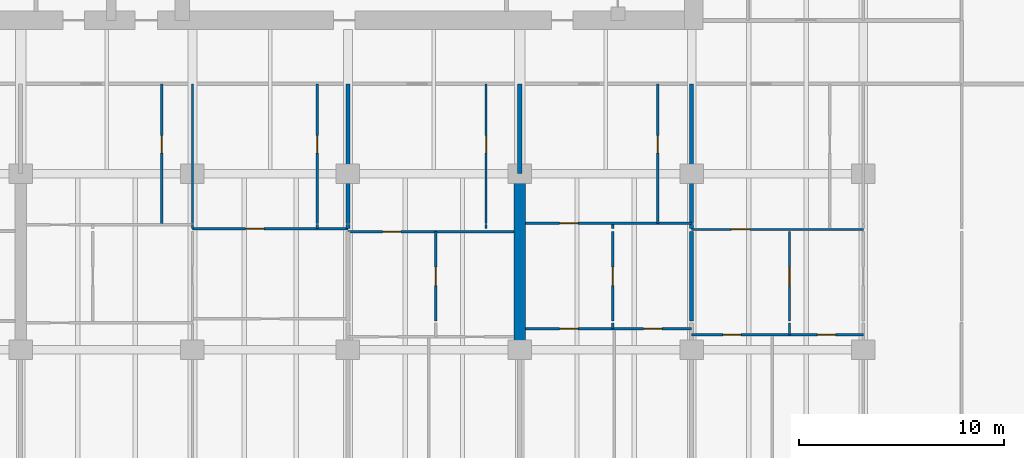
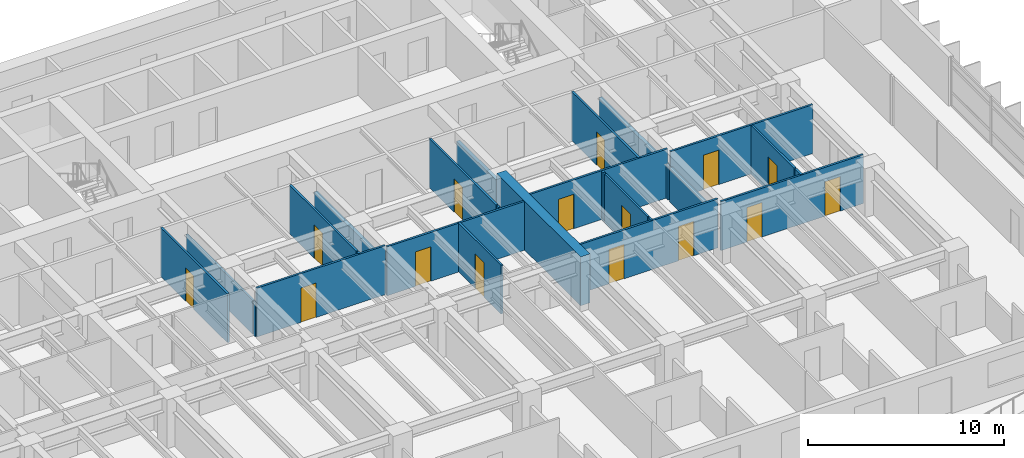
# One storey, part 9 of 17: 27 walls, 15 doors, 15 openings.
"""IFC4 building model written with IfcOpenShell, lengths in metres."""

from ifc_helpers import new_model, si_unit, direction, frame, frame_2d, origin, place, context, subcontext, project, spatial, rectangle, extrude, material, layer, layer_set, type_object, element, fill, save


model = new_model("IFC4")

# Units and contexts
model_context = context("Model", 3, precision=1e-05, world=origin(), true_north=direction((0.0, 1.0)))
body_context = subcontext(model_context, "Body", "Model", "MODEL_VIEW")
ifc_project = project(units=[si_unit("LENGTHUNIT", "METRE"), si_unit("AREAUNIT", "SQUARE_METRE"), si_unit("VOLUMEUNIT", "CUBIC_METRE"), si_unit("PLANEANGLEUNIT", "RADIAN"), si_unit("MASSUNIT", "GRAM", prefix="KILO")], contexts=[model_context])

# Site, building, storey
site_placement = place(None, origin())
site = spatial("IfcSite", under=ifc_project, at=site_placement, CompositionType="ELEMENT")
building_placement = place(site_placement, origin())
building = spatial("IfcBuilding", under=site, at=building_placement, Name="Caelmar Bay Residences", CompositionType="ELEMENT")
storey_placement = place(building_placement, frame((0.0, 0.0, 63.0)))
storey = spatial("IfcBuildingStorey", under=building, at=storey_placement, Name="L16", CompositionType="ELEMENT", Elevation=63.0)

# Wall
ifc_material_1 = material(Name="Concrete f'c 70 MPa (10,000 psi)", Category="concrete")
ifc_layer_1 = layer(ifc_material_1, 0.550048828125)
ifc_layer_set_1 = layer_set([ifc_layer_1], Name="Concrete f'c 70 MPa (10,000 psi)")
wall_type_1 = type_object("IfcWallType", Name="SW-XSLB-550", PredefinedType="SHEAR", material=ifc_layer_set_1)
wall_1_placement = place(storey_placement, frame((51.10009765625, 20.800048828125, 0.0), z_axis=(0.0, 0.0, 1.0), x_axis=(0.0, 1.0, 0.0)))
element("IfcWall", 1, at=wall_1_placement, inside=storey, type_object=wall_type_1, Name="L16 Transverse Cross-Slab Shear Wall E8", PredefinedType="SHEAR", context=body_context, shape_type="SweptSolid", body=[
    extrude(rectangle(XDim=8.599853515625, YDim=0.550048828125, at=frame_2d((4.2998046875, 0.0))), origin(), (0.0, 0.0, 1.0), 3.050048828125),
])

# Wall, opening, door
ifc_material_2 = material(Name="Acoustic metal-stud gypsum partition 120 mm")
ifc_layer_2 = layer(ifc_material_2, 0.1201171875)
ifc_layer_set_2 = layer_set([ifc_layer_2], Name="Acoustic metal-stud gypsum partition 120 mm")
wall_type_2 = type_object("IfcWallType", Name="W-PRT-120", PredefinedType="PARTITIONING", material=ifc_layer_set_2)
wall_2_placement = place(storey_placement, frame((33.60009765625, 26.97998046875, 0.0), z_axis=(0.0, 0.0, 1.0), x_axis=(0.0, 1.0, 0.0)))
wall_2 = element("IfcWall", 2, at=wall_2_placement, inside=storey, type_object=wall_type_2, Name="L16 Partition Wall V037", PredefinedType="PARTITIONING", context=body_context, shape_type="SweptSolid", body=[
    extrude(rectangle(XDim=6.820068359375, YDim=0.1201171875, at=frame_2d((3.41015625, 0.0))), origin(), (0.0, 0.0, 1.0), 3.050048828125),
])
opening_1_placement = place(wall_2_placement, frame((3.43505859375, 0.0, 0.0)))
opening_1 = element("IfcOpeningElement", 3, at=opening_1_placement, cuts=wall_2, Name="Opening D-L16-135", PredefinedType="OPENING", context=body_context, shape_type="SweptSolid", body=[
    extrude(rectangle(XDim=0.85009765625, YDim=2.10009765625, at=frame_2d((0.425048828125, 1.050048828125))), frame((0.0, 0.070068359375, 0.0), z_axis=(0.0, -1.0, 0.0), x_axis=(1.0, 0.0, 0.0)), (0.0, 0.0, 1.0), 0.14013671875),
])
ifc_material_3 = material(Name="Solid walnut timber interior door leaf and frame", Category="wood")
ifc_layer_3 = layer(ifc_material_3, 0.050048828125)
ifc_layer_set_3 = layer_set([ifc_layer_3], Name="Solid walnut timber interior door leaf and frame")
door_type_1 = type_object("IfcDoorType", Name="D-BATH-850", OperationType="NOTDEFINED", PredefinedType="DOOR", material=ifc_layer_set_3)
door_1_placement = place(opening_1_placement, origin())
door_1 = element("IfcDoor", 4, at=door_1_placement, inside=storey, type_object=door_type_1, Name="L16 Residence 02 Guest Bathroom Door", OperationType="SINGLE_SWING_RIGHT", OverallHeight=2.10009765625, OverallWidth=0.85009765625, PredefinedType="DOOR", context=body_context, shape_type="SweptSolid", body=[
    extrude(rectangle(XDim=0.85009765625, YDim=2.10009765625, at=frame_2d((0.425048828125, 1.050048828125))), frame((0.0, 0.02490234375, 0.0), z_axis=(0.0, -1.0, 0.0), x_axis=(1.0, 0.0, 0.0)), (0.0, 0.0, 1.0), 0.050048828125),
])
fill(opening_1, door_1)

# Walls
wall_3_placement = place(storey_placement, frame((35.10009765625, 26.719970703125, 0.0), z_axis=(0.0, 0.0, 1.0), x_axis=(0.0, 1.0, 0.0)))
element("IfcWall", 5, at=wall_3_placement, inside=storey, type_object=wall_type_2, Name="L16 Partition Wall V041", PredefinedType="PARTITIONING", context=body_context, shape_type="SweptSolid", body=[
    extrude(rectangle(XDim=0.199951171875, YDim=0.1201171875, at=frame_2d((0.10009765625, 0.0))), origin(), (0.0, 0.0, 1.0), 2.110107421875),
])
wall_4_placement = place(storey_placement, frame((35.10009765625, 26.97998046875, 0.0), z_axis=(0.0, 0.0, 1.0), x_axis=(0.0, 1.0, 0.0)))
element("IfcWall", 6, at=wall_4_placement, inside=storey, type_object=wall_type_2, Name="L16 Partition Wall V042", PredefinedType="PARTITIONING", context=body_context, shape_type="SweptSolid", body=[
    extrude(rectangle(XDim=6.820068359375, YDim=0.1201171875, at=frame_2d((3.41015625, 0.0))), origin(), (0.0, 0.0, 1.0), 2.110107421875),
])
wall_5_placement = place(storey_placement, frame((41.199951171875, 26.719970703125, 0.0), z_axis=(0.0, 0.0, 1.0), x_axis=(0.0, 1.0, 0.0)))
element("IfcWall", 7, at=wall_5_placement, inside=storey, type_object=wall_type_2, Name="L16 Partition Wall V046", PredefinedType="PARTITIONING", context=body_context, shape_type="SweptSolid", body=[
    extrude(rectangle(XDim=0.199951171875, YDim=0.1201171875, at=frame_2d((0.10009765625, 0.0))), origin(), (0.0, 0.0, 1.0), 3.050048828125),
])

# Wall, opening, door
wall_6_placement = place(storey_placement, frame((41.199951171875, 26.97998046875, 0.0), z_axis=(0.0, 0.0, 1.0), x_axis=(0.0, 1.0, 0.0)))
wall_6 = element("IfcWall", 8, at=wall_6_placement, inside=storey, type_object=wall_type_2, Name="L16 Partition Wall V047", PredefinedType="PARTITIONING", context=body_context, shape_type="SweptSolid", body=[
    extrude(rectangle(XDim=6.820068359375, YDim=0.1201171875, at=frame_2d((3.41015625, 0.0))), origin(), (0.0, 0.0, 1.0), 3.050048828125),
])
opening_2_placement = place(wall_6_placement, frame((3.43505859375, 0.0, 0.0)))
opening_2 = element("IfcOpeningElement", 9, at=opening_2_placement, cuts=wall_6, Name="Opening D-L16-141", PredefinedType="OPENING", context=body_context, shape_type="SweptSolid", body=[
    extrude(rectangle(XDim=0.85009765625, YDim=2.10009765625, at=frame_2d((0.425048828125, 1.050048828125))), frame((0.0, 0.070068359375, 0.0), z_axis=(0.0, -1.0, 0.0), x_axis=(1.0, 0.0, 0.0)), (0.0, 0.0, 1.0), 0.14013671875),
])
door_2_placement = place(opening_2_placement, origin())
door_2 = element("IfcDoor", 10, at=door_2_placement, inside=storey, type_object=door_type_1, Name="L16 Residence 02 En-Suite Bathroom 1 Door", OperationType="SINGLE_SWING_RIGHT", OverallHeight=2.10009765625, OverallWidth=0.85009765625, PredefinedType="DOOR", context=body_context, shape_type="SweptSolid", body=[
    extrude(rectangle(XDim=0.85009765625, YDim=2.10009765625, at=frame_2d((0.425048828125, 1.050048828125))), frame((0.0, 0.02490234375, 0.0), z_axis=(0.0, -1.0, 0.0), x_axis=(1.0, 0.0, 0.0)), (0.0, 0.0, 1.0), 0.050048828125),
])
fill(opening_2, door_2)

wall_7_placement = place(storey_placement, frame((46.986083984375, 22.199951171875, 0.0), z_axis=(0.0, 0.0, 1.0), x_axis=(0.0, 1.0, 0.0)))
wall_7 = element("IfcWall", 11, at=wall_7_placement, inside=storey, type_object=wall_type_2, Name="L16 Partition Wall V059", PredefinedType="PARTITIONING", context=body_context, shape_type="SweptSolid", body=[
    extrude(rectangle(XDim=4.380126953125, YDim=0.1201171875, at=frame_2d((2.18994140625, 0.0))), origin(), (0.0, 0.0, 1.0), 3.050048828125),
])
opening_3_placement = place(wall_7_placement, frame((1.739990234375, 0.0, 0.0)))
opening_3 = element("IfcOpeningElement", 12, at=opening_3_placement, cuts=wall_7, Name="Opening D-L16-147", PredefinedType="OPENING", context=body_context, shape_type="SweptSolid", body=[
    extrude(rectangle(XDim=0.89990234375, YDim=2.14990234375, at=frame_2d((0.449951171875, 1.074951171875))), frame((0.0, 0.070068359375, 0.0), z_axis=(0.0, -1.0, 0.0), x_axis=(1.0, 0.0, 0.0)), (0.0, 0.0, 1.0), 0.14013671875),
])
ifc_layer_4 = layer(ifc_material_3, 0.050048828125)
ifc_layer_set_4 = layer_set([ifc_layer_4], Name="Solid walnut timber interior door leaf and frame")
door_type_2 = type_object("IfcDoorType", Name="D-ROOM-900", OperationType="NOTDEFINED", PredefinedType="DOOR", material=ifc_layer_set_4)
door_3_placement = place(opening_3_placement, origin())
door_3 = element("IfcDoor", 13, at=door_3_placement, inside=storey, type_object=door_type_2, Name="L16 Residence 03 Private Meeting Room Door", OperationType="SINGLE_SWING_RIGHT", OverallHeight=2.14990234375, OverallWidth=0.89990234375, PredefinedType="DOOR", context=body_context, shape_type="SweptSolid", body=[
    extrude(rectangle(XDim=0.89990234375, YDim=2.14990234375, at=frame_2d((0.449951171875, 1.074951171875))), frame((0.0, 0.02490234375, 0.0), z_axis=(0.0, -1.0, 0.0), x_axis=(1.0, 0.0, 0.0)), (0.0, 0.0, 1.0), 0.050048828125),
])
fill(opening_3, door_3)

# Wall
wall_8_placement = place(storey_placement, frame((49.449951171875, 26.719970703125, 0.0), z_axis=(0.0, 0.0, 1.0), x_axis=(0.0, 1.0, 0.0)))
element("IfcWall", 14, at=wall_8_placement, inside=storey, type_object=wall_type_2, Name="L16 Partition Wall V061", PredefinedType="PARTITIONING", context=body_context, shape_type="SweptSolid", body=[
    extrude(rectangle(XDim=0.199951171875, YDim=0.1201171875, at=frame_2d((0.10009765625, 0.0))), origin(), (0.0, 0.0, 1.0), 3.050048828125),
])

# Wall, opening, door
wall_9_placement = place(storey_placement, frame((49.449951171875, 26.97998046875, 0.0), z_axis=(0.0, 0.0, 1.0), x_axis=(0.0, 1.0, 0.0)))
wall_9 = element("IfcWall", 15, at=wall_9_placement, inside=storey, type_object=wall_type_2, Name="L16 Partition Wall V062", PredefinedType="PARTITIONING", context=body_context, shape_type="SweptSolid", body=[
    extrude(rectangle(XDim=6.820068359375, YDim=0.1201171875, at=frame_2d((3.41015625, 0.0))), origin(), (0.0, 0.0, 1.0), 3.050048828125),
])
opening_4_placement = place(wall_9_placement, frame((3.43505859375, 0.0, 0.0)))
opening_4 = element("IfcOpeningElement", 16, at=opening_4_placement, cuts=wall_9, Name="Opening D-L16-145", PredefinedType="OPENING", context=body_context, shape_type="SweptSolid", body=[
    extrude(rectangle(XDim=0.85009765625, YDim=2.10009765625, at=frame_2d((0.425048828125, 1.050048828125))), frame((0.0, 0.070068359375, 0.0), z_axis=(0.0, -1.0, 0.0), x_axis=(1.0, 0.0, 0.0)), (0.0, 0.0, 1.0), 0.14013671875),
])
door_4_placement = place(opening_4_placement, origin())
door_4 = element("IfcDoor", 17, at=door_4_placement, inside=storey, type_object=door_type_1, Name="L16 Residence 03 Bathroom Door", OperationType="SINGLE_SWING_RIGHT", OverallHeight=2.10009765625, OverallWidth=0.85009765625, PredefinedType="DOOR", context=body_context, shape_type="SweptSolid", body=[
    extrude(rectangle(XDim=0.85009765625, YDim=2.10009765625, at=frame_2d((0.425048828125, 1.050048828125))), frame((0.0, 0.02490234375, 0.0), z_axis=(0.0, -1.0, 0.0), x_axis=(1.0, 0.0, 0.0)), (0.0, 0.0, 1.0), 0.050048828125),
])
fill(opening_4, door_4)

# Wall
wall_10_placement = place(storey_placement, frame((55.635986328125, 21.830078125, 0.0), z_axis=(0.0, 0.0, 1.0), x_axis=(0.0, 1.0, 0.0)))
element("IfcWall", 18, at=wall_10_placement, inside=storey, type_object=wall_type_2, Name="L16 Partition Wall V070", PredefinedType="PARTITIONING", context=body_context, shape_type="SweptSolid", body=[
    extrude(rectangle(XDim=0.2900390625, YDim=0.1201171875, at=frame_2d((0.14501953125, 0.0))), origin(), (0.0, 0.0, 1.0), 3.050048828125),
])

# Wall, opening, door
wall_11_placement = place(storey_placement, frame((55.635986328125, 22.199951171875, 0.0), z_axis=(0.0, 0.0, 1.0), x_axis=(0.0, 1.0, 0.0)))
wall_11 = element("IfcWall", 19, at=wall_11_placement, inside=storey, type_object=wall_type_2, Name="L16 Partition Wall V071", PredefinedType="PARTITIONING", context=body_context, shape_type="SweptSolid", body=[
    extrude(rectangle(XDim=4.380126953125, YDim=0.1201171875, at=frame_2d((2.18994140625, 0.0))), origin(), (0.0, 0.0, 1.0), 3.050048828125),
])
opening_5_placement = place(wall_11_placement, frame((1.739990234375, 0.0, 0.0)))
opening_5 = element("IfcOpeningElement", 20, at=opening_5_placement, cuts=wall_11, Name="Opening D-L16-154", PredefinedType="OPENING", context=body_context, shape_type="SweptSolid", body=[
    extrude(rectangle(XDim=0.89990234375, YDim=2.14990234375, at=frame_2d((0.449951171875, 1.074951171875))), frame((0.0, 0.070068359375, 0.0), z_axis=(0.0, -1.0, 0.0), x_axis=(1.0, 0.0, 0.0)), (0.0, 0.0, 1.0), 0.14013671875),
])
door_5_placement = place(opening_5_placement, origin())
door_5 = element("IfcDoor", 21, at=door_5_placement, inside=storey, type_object=door_type_2, Name="L16 Residence 04 Private Meeting Room Door", OperationType="SINGLE_SWING_LEFT", OverallHeight=2.14990234375, OverallWidth=0.89990234375, PredefinedType="DOOR", context=body_context, shape_type="SweptSolid", body=[
    extrude(rectangle(XDim=0.89990234375, YDim=2.14990234375, at=frame_2d((0.449951171875, 1.074951171875))), frame((0.0, 0.02490234375, 0.0), z_axis=(0.0, -1.0, 0.0), x_axis=(1.0, 0.0, 0.0)), (0.0, 0.0, 1.0), 0.050048828125),
])
fill(opening_5, door_5)

# Wall
wall_12_placement = place(storey_placement, frame((55.635986328125, 26.719970703125, 0.0), z_axis=(0.0, 0.0, 1.0), x_axis=(0.0, 1.0, 0.0)))
element("IfcWall", 22, at=wall_12_placement, inside=storey, type_object=wall_type_2, Name="L16 Partition Wall V072", PredefinedType="PARTITIONING", context=body_context, shape_type="SweptSolid", body=[
    extrude(rectangle(XDim=0.199951171875, YDim=0.1201171875, at=frame_2d((0.10009765625, 0.0))), origin(), (0.0, 0.0, 1.0), 3.050048828125),
])

# Wall, opening, door
wall_13_placement = place(storey_placement, frame((57.85009765625, 26.97998046875, 0.0), z_axis=(0.0, 0.0, 1.0), x_axis=(0.0, 1.0, 0.0)))
wall_13 = element("IfcWall", 23, at=wall_13_placement, inside=storey, type_object=wall_type_2, Name="L16 Partition Wall V076", PredefinedType="PARTITIONING", context=body_context, shape_type="SweptSolid", body=[
    extrude(rectangle(XDim=6.820068359375, YDim=0.1201171875, at=frame_2d((3.41015625, 0.0))), origin(), (0.0, 0.0, 1.0), 3.050048828125),
])
opening_6_placement = place(wall_13_placement, frame((3.43505859375, 0.0, 0.0)))
opening_6 = element("IfcOpeningElement", 24, at=opening_6_placement, cuts=wall_13, Name="Opening D-L16-152", PredefinedType="OPENING", context=body_context, shape_type="SweptSolid", body=[
    extrude(rectangle(XDim=0.85009765625, YDim=2.10009765625, at=frame_2d((0.425048828125, 1.050048828125))), frame((0.0, 0.070068359375, 0.0), z_axis=(0.0, -1.0, 0.0), x_axis=(1.0, 0.0, 0.0)), (0.0, 0.0, 1.0), 0.14013671875),
])
door_6_placement = place(opening_6_placement, origin())
door_6 = element("IfcDoor", 25, at=door_6_placement, inside=storey, type_object=door_type_1, Name="L16 Residence 04 Bathroom Door", OperationType="SINGLE_SWING_LEFT", OverallHeight=2.10009765625, OverallWidth=0.85009765625, PredefinedType="DOOR", context=body_context, shape_type="SweptSolid", body=[
    extrude(rectangle(XDim=0.85009765625, YDim=2.10009765625, at=frame_2d((0.425048828125, 1.050048828125))), frame((0.0, 0.02490234375, 0.0), z_axis=(0.0, -1.0, 0.0), x_axis=(1.0, 0.0, 0.0)), (0.0, 0.0, 1.0), 0.050048828125),
])
fill(opening_6, door_6)

# Wall
wall_14_placement = place(storey_placement, frame((64.285888671875, 21.530029296875, 0.0), z_axis=(0.0, 0.0, 1.0), x_axis=(0.0, 1.0, 0.0)))
element("IfcWall", 26, at=wall_14_placement, inside=storey, type_object=wall_type_2, Name="L16 Partition Wall V085", PredefinedType="PARTITIONING", context=body_context, shape_type="SweptSolid", body=[
    extrude(rectangle(XDim=0.590087890625, YDim=0.1201171875, at=frame_2d((0.294921875, 0.0))), origin(), (0.0, 0.0, 1.0), 3.050048828125),
])

# Wall, opening, door
wall_15_placement = place(storey_placement, frame((64.285888671875, 22.199951171875, 0.0), z_axis=(0.0, 0.0, 1.0), x_axis=(0.0, 1.0, 0.0)))
wall_15 = element("IfcWall", 27, at=wall_15_placement, inside=storey, type_object=wall_type_2, Name="L16 Partition Wall V086", PredefinedType="PARTITIONING", context=body_context, shape_type="SweptSolid", body=[
    extrude(rectangle(XDim=4.380126953125, YDim=0.1201171875, at=frame_2d((2.18994140625, 0.0))), origin(), (0.0, 0.0, 1.0), 3.050048828125),
])
opening_7_placement = place(wall_15_placement, frame((1.739990234375, 0.0, 0.0)))
opening_7 = element("IfcOpeningElement", 28, at=opening_7_placement, cuts=wall_15, Name="Opening D-L16-161", PredefinedType="OPENING", context=body_context, shape_type="SweptSolid", body=[
    extrude(rectangle(XDim=0.89990234375, YDim=2.14990234375, at=frame_2d((0.449951171875, 1.074951171875))), frame((0.0, 0.070068359375, 0.0), z_axis=(0.0, -1.0, 0.0), x_axis=(1.0, 0.0, 0.0)), (0.0, 0.0, 1.0), 0.14013671875),
])
door_7_placement = place(opening_7_placement, origin())
door_7 = element("IfcDoor", 29, at=door_7_placement, inside=storey, type_object=door_type_2, Name="L16 Residence 05 Private Meeting Room Door", OperationType="SINGLE_SWING_RIGHT", OverallHeight=2.14990234375, OverallWidth=0.89990234375, PredefinedType="DOOR", context=body_context, shape_type="SweptSolid", body=[
    extrude(rectangle(XDim=0.89990234375, YDim=2.14990234375, at=frame_2d((0.449951171875, 1.074951171875))), frame((0.0, 0.02490234375, 0.0), z_axis=(0.0, -1.0, 0.0), x_axis=(1.0, 0.0, 0.0)), (0.0, 0.0, 1.0), 0.050048828125),
])
fill(opening_7, door_7)

# Wall, openings, doors
wall_16_placement = place(storey_placement, frame((59.5, 21.530029296875, 0.0), z_axis=(0.0, 0.0, 1.0), x_axis=(1.0, 0.0, 0.0)))
wall_16 = element("IfcWall", 30, at=wall_16_placement, inside=storey, type_object=wall_type_2, Name="L16 Partition Wall H107", PredefinedType="PARTITIONING", context=body_context, shape_type="SweptSolid", body=[
    extrude(rectangle(XDim=8.39990234375, YDim=0.1201171875, at=frame_2d((4.199951171875, 0.0))), origin(), (0.0, 0.0, 1.0), 3.050048828125),
])
opening_8_placement = place(wall_16_placement, frame((1.52392578125, 0.0, 0.0)))
opening_8 = element("IfcOpeningElement", 31, at=opening_8_placement, cuts=wall_16, Name="Opening D-L16-162", PredefinedType="OPENING", context=body_context, shape_type="SweptSolid", body=[
    extrude(rectangle(XDim=0.89990234375, YDim=2.14990234375, at=frame_2d((0.449951171875, 1.074951171875))), frame((0.0, 0.070068359375, 0.0), z_axis=(0.0, -1.0, 0.0), x_axis=(1.0, 0.0, 0.0)), (0.0, 0.0, 1.0), 0.14013671875),
])
opening_9_placement = place(wall_16_placement, frame((6.14306640625, 0.0, 0.0)))
opening_9 = element("IfcOpeningElement", 32, at=opening_9_placement, cuts=wall_16, Name="Opening D-L16-163", PredefinedType="OPENING", context=body_context, shape_type="SweptSolid", body=[
    extrude(rectangle(XDim=0.89990234375, YDim=2.14990234375, at=frame_2d((0.449951171875, 1.074951171875))), frame((0.0, 0.070068359375, 0.0), z_axis=(0.0, -1.0, 0.0), x_axis=(1.0, 0.0, 0.0)), (0.0, 0.0, 1.0), 0.14013671875),
])
door_8_placement = place(opening_8_placement, origin())
door_8 = element("IfcDoor", 33, at=door_8_placement, inside=storey, type_object=door_type_2, Name="L16 Residence 05 Living Room Door", OperationType="SINGLE_SWING_LEFT", OverallHeight=2.14990234375, OverallWidth=0.89990234375, PredefinedType="DOOR", context=body_context, shape_type="SweptSolid", body=[
    extrude(rectangle(XDim=0.89990234375, YDim=2.14990234375, at=frame_2d((0.449951171875, 1.074951171875))), frame((0.0, 0.02490234375, 0.0), z_axis=(0.0, -1.0, 0.0), x_axis=(1.0, 0.0, 0.0)), (0.0, 0.0, 1.0), 0.050048828125),
])
fill(opening_8, door_8)
door_9_placement = place(opening_9_placement, origin())
door_9 = element("IfcDoor", 34, at=door_9_placement, inside=storey, type_object=door_type_2, Name="L16 Residence 05 Penthouse Sitting Room Door", OperationType="SINGLE_SWING_RIGHT", OverallHeight=2.14990234375, OverallWidth=0.89990234375, PredefinedType="DOOR", context=body_context, shape_type="SweptSolid", body=[
    extrude(rectangle(XDim=0.89990234375, YDim=2.14990234375, at=frame_2d((0.449951171875, 1.074951171875))), frame((0.0, 0.02490234375, 0.0), z_axis=(0.0, -1.0, 0.0), x_axis=(1.0, 0.0, 0.0)), (0.0, 0.0, 1.0), 0.050048828125),
])
fill(opening_9, door_9)

wall_17_placement = place(storey_placement, frame((51.3701171875, 21.830078125, 0.0), z_axis=(0.0, 0.0, 1.0), x_axis=(1.0, 0.0, 0.0)))
wall_17 = element("IfcWall", 35, at=wall_17_placement, inside=storey, type_object=wall_type_2, Name="L16 Partition Wall H108", PredefinedType="PARTITIONING", context=body_context, shape_type="SweptSolid", body=[
    extrude(rectangle(XDim=8.1298828125, YDim=0.1201171875, at=frame_2d((4.06494140625, 0.0))), origin(), (0.0, 0.0, 1.0), 3.050048828125),
])
opening_10_placement = place(wall_17_placement, frame((1.68310546875, 0.0, 0.0)))
opening_10 = element("IfcOpeningElement", 36, at=opening_10_placement, cuts=wall_17, Name="Opening D-L16-155", PredefinedType="OPENING", context=body_context, shape_type="SweptSolid", body=[
    extrude(rectangle(XDim=0.89990234375, YDim=2.14990234375, at=frame_2d((0.449951171875, 1.074951171875))), frame((0.0, 0.070068359375, 0.0), z_axis=(0.0, -1.0, 0.0), x_axis=(1.0, 0.0, 0.0)), (0.0, 0.0, 1.0), 0.14013671875),
])
opening_11_placement = place(wall_17_placement, frame((5.7900390625, 0.0, 0.0)))
opening_11 = element("IfcOpeningElement", 37, at=opening_11_placement, cuts=wall_17, Name="Opening D-L16-156", PredefinedType="OPENING", context=body_context, shape_type="SweptSolid", body=[
    extrude(rectangle(XDim=0.89990234375, YDim=2.14990234375, at=frame_2d((0.449951171875, 1.074951171875))), frame((0.0, 0.070068359375, 0.0), z_axis=(0.0, -1.0, 0.0), x_axis=(1.0, 0.0, 0.0)), (0.0, 0.0, 1.0), 0.14013671875),
])
door_10_placement = place(opening_10_placement, origin())
door_10 = element("IfcDoor", 38, at=door_10_placement, inside=storey, type_object=door_type_2, Name="L16 Residence 04 Penthouse Living Salon Door", OperationType="SINGLE_SWING_RIGHT", OverallHeight=2.14990234375, OverallWidth=0.89990234375, PredefinedType="DOOR", context=body_context, shape_type="SweptSolid", body=[
    extrude(rectangle(XDim=0.89990234375, YDim=2.14990234375, at=frame_2d((0.449951171875, 1.074951171875))), frame((0.0, 0.02490234375, 0.0), z_axis=(0.0, -1.0, 0.0), x_axis=(1.0, 0.0, 0.0)), (0.0, 0.0, 1.0), 0.050048828125),
])
fill(opening_10, door_10)
door_11_placement = place(opening_11_placement, origin())
door_11 = element("IfcDoor", 39, at=door_11_placement, inside=storey, type_object=door_type_2, Name="L16 Residence 04 Penthouse Sitting Room Door", OperationType="SINGLE_SWING_LEFT", OverallHeight=2.14990234375, OverallWidth=0.89990234375, PredefinedType="DOOR", context=body_context, shape_type="SweptSolid", body=[
    extrude(rectangle(XDim=0.89990234375, YDim=2.14990234375, at=frame_2d((0.449951171875, 1.074951171875))), frame((0.0, 0.02490234375, 0.0), z_axis=(0.0, -1.0, 0.0), x_axis=(1.0, 0.0, 0.0)), (0.0, 0.0, 1.0), 0.050048828125),
])
fill(opening_11, door_11)

# Wall, opening, door
wall_18_placement = place(storey_placement, frame((42.699951171875, 26.580078125, 0.0), z_axis=(0.0, 0.0, 1.0), x_axis=(1.0, 0.0, 0.0)))
wall_18 = element("IfcWall", 40, at=wall_18_placement, inside=storey, type_object=wall_type_2, Name="L16 Partition Wall H113", PredefinedType="PARTITIONING", context=body_context, shape_type="SweptSolid", body=[
    extrude(rectangle(XDim=8.130126953125, YDim=0.1201171875, at=frame_2d((4.06494140625, 0.0))), origin(), (0.0, 0.0, 1.0), 3.050048828125),
])
opening_12_placement = place(wall_18_placement, frame((1.693115234375, 0.0, 0.0)))
opening_12 = element("IfcOpeningElement", 41, at=opening_12_placement, cuts=wall_18, Name="Opening D-L16-146", PredefinedType="OPENING", context=body_context, shape_type="SweptSolid", body=[
    extrude(rectangle(XDim=0.89990234375, YDim=2.14990234375, at=frame_2d((0.449951171875, 1.074951171875))), frame((0.0, 0.070068359375, 0.0), z_axis=(0.0, -1.0, 0.0), x_axis=(1.0, 0.0, 0.0)), (0.0, 0.0, 1.0), 0.14013671875),
])
door_12_placement = place(opening_12_placement, origin())
door_12 = element("IfcDoor", 42, at=door_12_placement, inside=storey, type_object=door_type_2, Name="L16 Residence 03 Kitchen Door", OperationType="SINGLE_SWING_LEFT", OverallHeight=2.14990234375, OverallWidth=0.89990234375, PredefinedType="DOOR", context=body_context, shape_type="SweptSolid", body=[
    extrude(rectangle(XDim=0.89990234375, YDim=2.14990234375, at=frame_2d((0.449951171875, 1.074951171875))), frame((0.0, 0.02490234375, 0.0), z_axis=(0.0, -1.0, 0.0), x_axis=(1.0, 0.0, 0.0)), (0.0, 0.0, 1.0), 0.050048828125),
])
fill(opening_12, door_12)

wall_19_placement = place(storey_placement, frame((59.5, 26.679931640625, 0.0), z_axis=(0.0, 0.0, 1.0), x_axis=(1.0, 0.0, 0.0)))
wall_19 = element("IfcWall", 43, at=wall_19_placement, inside=storey, type_object=wall_type_2, Name="L16 Partition Wall H115", PredefinedType="PARTITIONING", context=body_context, shape_type="SweptSolid", body=[
    extrude(rectangle(XDim=8.39990234375, YDim=0.1201171875, at=frame_2d((4.199951171875, 0.0))), origin(), (0.0, 0.0, 1.0), 3.050048828125),
])
opening_13_placement = place(wall_19_placement, frame((1.943115234375, 0.0, 0.0)))
opening_13 = element("IfcOpeningElement", 44, at=opening_13_placement, cuts=wall_19, Name="Opening D-L16-160", PredefinedType="OPENING", context=body_context, shape_type="SweptSolid", body=[
    extrude(rectangle(XDim=0.89990234375, YDim=2.14990234375, at=frame_2d((0.449951171875, 1.074951171875))), frame((0.0, 0.070068359375, 0.0), z_axis=(0.0, -1.0, 0.0), x_axis=(1.0, 0.0, 0.0)), (0.0, 0.0, 1.0), 0.14013671875),
])
door_13_placement = place(opening_13_placement, origin())
door_13 = element("IfcDoor", 45, at=door_13_placement, inside=storey, type_object=door_type_2, Name="L16 Residence 05 Kitchen Door", OperationType="SINGLE_SWING_LEFT", OverallHeight=2.14990234375, OverallWidth=0.89990234375, PredefinedType="DOOR", context=body_context, shape_type="SweptSolid", body=[
    extrude(rectangle(XDim=0.89990234375, YDim=2.14990234375, at=frame_2d((0.449951171875, 1.074951171875))), frame((0.0, 0.02490234375, 0.0), z_axis=(0.0, -1.0, 0.0), x_axis=(1.0, 0.0, 0.0)), (0.0, 0.0, 1.0), 0.050048828125),
])
fill(opening_13, door_13)

wall_20_placement = place(storey_placement, frame((35.10009765625, 26.719970703125, 0.0), z_axis=(0.0, 0.0, 1.0), x_axis=(1.0, 0.0, 0.0)))
wall_20 = element("IfcWall", 46, at=wall_20_placement, inside=storey, type_object=wall_type_2, Name="L16 Partition Wall H116", PredefinedType="PARTITIONING", context=body_context, shape_type="SweptSolid", body=[
    extrude(rectangle(XDim=7.594970703125, YDim=0.1201171875, at=frame_2d((3.79736328125, 0.0))), origin(), (0.0, 0.0, 1.0), 3.050048828125),
])
opening_14_placement = place(wall_20_placement, frame((2.60009765625, 0.0, 0.0)))
opening_14 = element("IfcOpeningElement", 47, at=opening_14_placement, cuts=wall_20, Name="Opening D-L16-140", PredefinedType="OPENING", context=body_context, shape_type="SweptSolid", body=[
    extrude(rectangle(XDim=0.89990234375, YDim=2.14990234375, at=frame_2d((0.449951171875, 1.074951171875))), frame((0.0, 0.070068359375, 0.0), z_axis=(0.0, -1.0, 0.0), x_axis=(1.0, 0.0, 0.0)), (0.0, 0.0, 1.0), 0.14013671875),
])
door_14_placement = place(opening_14_placement, origin())
door_14 = element("IfcDoor", 48, at=door_14_placement, inside=storey, type_object=door_type_2, Name="L16 Residence 02 Private Meeting Room 1 Door", OperationType="SINGLE_SWING_LEFT", OverallHeight=2.14990234375, OverallWidth=0.89990234375, PredefinedType="DOOR", context=body_context, shape_type="SweptSolid", body=[
    extrude(rectangle(XDim=0.89990234375, YDim=2.14990234375, at=frame_2d((0.449951171875, 1.074951171875))), frame((0.0, 0.02490234375, 0.0), z_axis=(0.0, -1.0, 0.0), x_axis=(1.0, 0.0, 0.0)), (0.0, 0.0, 1.0), 0.050048828125),
])
fill(opening_14, door_14)

wall_21_placement = place(storey_placement, frame((51.3701171875, 26.97998046875, 0.0), z_axis=(0.0, 0.0, 1.0), x_axis=(1.0, 0.0, 0.0)))
wall_21 = element("IfcWall", 49, at=wall_21_placement, inside=storey, type_object=wall_type_2, Name="L16 Partition Wall H119", PredefinedType="PARTITIONING", context=body_context, shape_type="SweptSolid", body=[
    extrude(rectangle(XDim=8.1298828125, YDim=0.1201171875, at=frame_2d((4.06494140625, 0.0))), origin(), (0.0, 0.0, 1.0), 3.050048828125),
])
opening_15_placement = place(wall_21_placement, frame((1.68310546875, 0.0, 0.0)))
opening_15 = element("IfcOpeningElement", 50, at=opening_15_placement, cuts=wall_21, Name="Opening D-L16-153", PredefinedType="OPENING", context=body_context, shape_type="SweptSolid", body=[
    extrude(rectangle(XDim=0.89990234375, YDim=2.14990234375, at=frame_2d((0.449951171875, 1.074951171875))), frame((0.0, 0.070068359375, 0.0), z_axis=(0.0, -1.0, 0.0), x_axis=(1.0, 0.0, 0.0)), (0.0, 0.0, 1.0), 0.14013671875),
])
door_15_placement = place(opening_15_placement, origin())
door_15 = element("IfcDoor", 51, at=door_15_placement, inside=storey, type_object=door_type_2, Name="L16 Residence 04 Kitchen Door", OperationType="SINGLE_SWING_RIGHT", OverallHeight=2.14990234375, OverallWidth=0.89990234375, PredefinedType="DOOR", context=body_context, shape_type="SweptSolid", body=[
    extrude(rectangle(XDim=0.89990234375, YDim=2.14990234375, at=frame_2d((0.449951171875, 1.074951171875))), frame((0.0, 0.02490234375, 0.0), z_axis=(0.0, -1.0, 0.0), x_axis=(1.0, 0.0, 0.0)), (0.0, 0.0, 1.0), 0.050048828125),
])
fill(opening_15, door_15)

# Walls
ifc_material_4 = material(Name="Acoustic twin-stud fire-rated inter-tenancy partition 200 mm")
ifc_layer_5 = layer(ifc_material_4, 0.199951171875)
ifc_layer_set_5 = layer_set([ifc_layer_5], Name="Acoustic twin-stud fire-rated inter-tenancy partition 200 mm")
wall_type_3 = type_object("IfcWallType", Name="W-PTY-200", PredefinedType="PARTITIONING", material=ifc_layer_set_5)
wall_22_placement = place(storey_placement, frame((42.699951171875, 26.719970703125, 0.0), z_axis=(0.0, 0.0, 1.0), x_axis=(0.0, 1.0, 0.0)))
element("IfcWall", 52, at=wall_22_placement, inside=storey, type_object=wall_type_3, Name="L16 Partition Wall V051", PredefinedType="PARTITIONING", context=body_context, shape_type="SweptSolid", body=[
    extrude(rectangle(XDim=0.199951171875, YDim=0.199951171875, at=frame_2d((0.10009765625, 0.0))), origin(), (0.0, 0.0, 1.0), 2.110107421875),
])
wall_23_placement = place(storey_placement, frame((42.699951171875, 26.97998046875, 0.0), z_axis=(0.0, 0.0, 1.0), x_axis=(0.0, 1.0, 0.0)))
element("IfcWall", 53, at=wall_23_placement, inside=storey, type_object=wall_type_3, Name="L16 Partition Wall V052", PredefinedType="PARTITIONING", context=body_context, shape_type="SweptSolid", body=[
    extrude(rectangle(XDim=6.820068359375, YDim=0.199951171875, at=frame_2d((3.41015625, 0.0))), origin(), (0.0, 0.0, 1.0), 2.110107421875),
])
wall_24_placement = place(storey_placement, frame((51.10009765625, 29.405029296875, 0.0), z_axis=(0.0, 0.0, 1.0), x_axis=(0.0, 1.0, 0.0)))
element("IfcWall", 54, at=wall_24_placement, inside=storey, type_object=wall_type_3, Name="L16 Partition Wall V067", PredefinedType="PARTITIONING", context=body_context, shape_type="SweptSolid", body=[
    extrude(rectangle(XDim=4.39501953125, YDim=0.199951171875, at=frame_2d((2.197509765625, 0.0))), origin(), (0.0, 0.0, 1.0), 2.3349609375),
])
wall_25_placement = place(storey_placement, frame((59.5, 22.199951171875, 0.0), z_axis=(0.0, 0.0, 1.0), x_axis=(0.0, 1.0, 0.0)))
element("IfcWall", 55, at=wall_25_placement, inside=storey, type_object=wall_type_3, Name="L16 Partition Wall V079", PredefinedType="PARTITIONING", context=body_context, shape_type="SweptSolid", body=[
    extrude(rectangle(XDim=4.380126953125, YDim=0.199951171875, at=frame_2d((2.18994140625, 0.0))), origin(), (0.0, 0.0, 1.0), 2.110107421875),
])
wall_26_placement = place(storey_placement, frame((59.5, 26.719970703125, 0.0), z_axis=(0.0, 0.0, 1.0), x_axis=(0.0, 1.0, 0.0)))
element("IfcWall", 56, at=wall_26_placement, inside=storey, type_object=wall_type_3, Name="L16 Partition Wall V080", PredefinedType="PARTITIONING", context=body_context, shape_type="SweptSolid", body=[
    extrude(rectangle(XDim=0.199951171875, YDim=0.199951171875, at=frame_2d((0.10009765625, 0.0))), origin(), (0.0, 0.0, 1.0), 2.110107421875),
])
wall_27_placement = place(storey_placement, frame((59.5, 26.97998046875, 0.0), z_axis=(0.0, 0.0, 1.0), x_axis=(0.0, 1.0, 0.0)))
element("IfcWall", 57, at=wall_27_placement, inside=storey, type_object=wall_type_3, Name="L16 Partition Wall V081", PredefinedType="PARTITIONING", context=body_context, shape_type="SweptSolid", body=[
    extrude(rectangle(XDim=6.820068359375, YDim=0.199951171875, at=frame_2d((3.41015625, 0.0))), origin(), (0.0, 0.0, 1.0), 2.110107421875),
])

save(model, "model.ifc")
